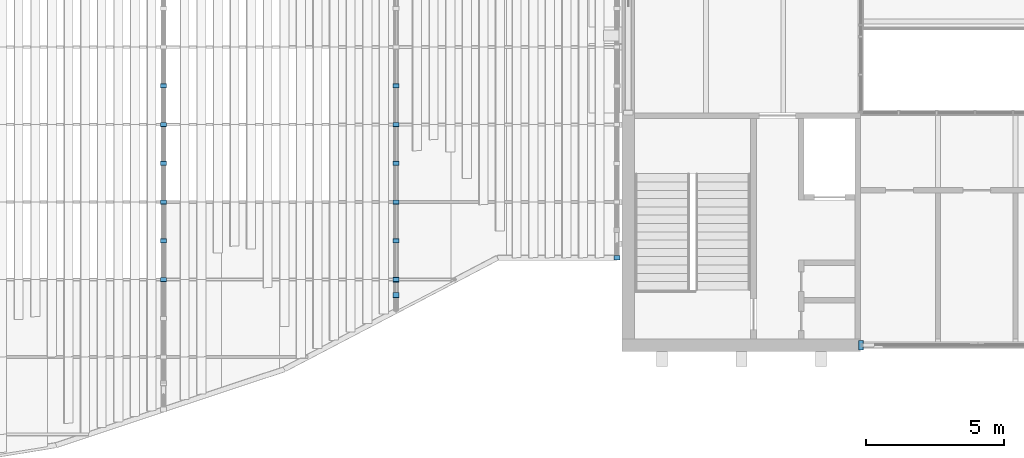
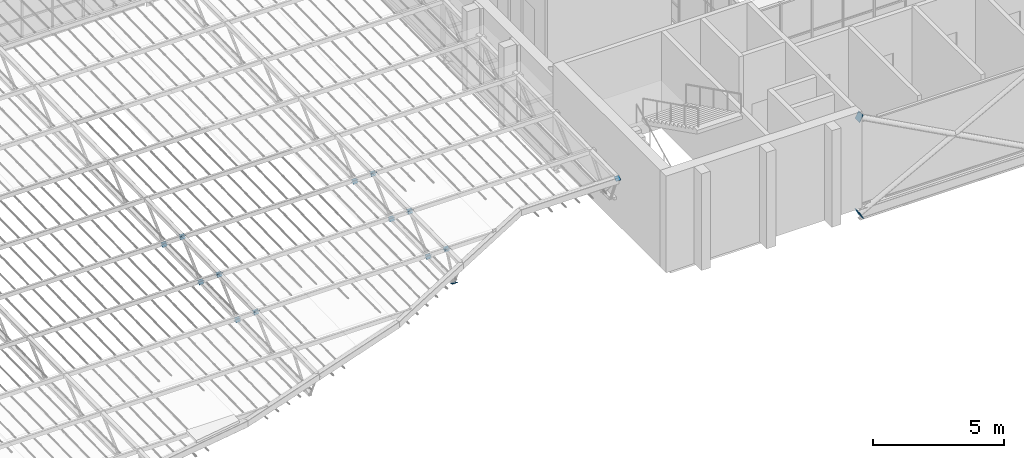
# One storey, part 105 of 129: 28 discrete accessories.
"""IFC4 building model written with IfcOpenShell, lengths in metres."""

from ifc_helpers import new_model, si_unit, direction, frame, origin, origin_2d, place, context, subcontext, project, spatial, rectangle, extrude, material, material_profile, profile_set, type_object, element, save


model = new_model("IFC4")

# Units and contexts
model_context = context("Model", 3, precision=1e-05, world=origin(), true_north=direction((0.0, 1.0)))
body_context = subcontext(model_context, "Body", "Model", "MODEL_VIEW")
ifc_project = project(units=[si_unit("LENGTHUNIT", "METRE"), si_unit("AREAUNIT", "SQUARE_METRE"), si_unit("VOLUMEUNIT", "CUBIC_METRE"), si_unit("PLANEANGLEUNIT", "RADIAN"), si_unit("MASSUNIT", "GRAM", prefix="KILO")], contexts=[model_context])

# Site, building, storey
site_placement = place(None, origin())
site = spatial("IfcSite", under=ifc_project, at=site_placement, CompositionType="ELEMENT")
building_placement = place(site_placement, origin())
building = spatial("IfcBuilding", under=site, at=building_placement, Name="Ardhachandra Cancer Care Centre", CompositionType="ELEMENT")
storey_placement = place(building_placement, frame((0.0, 0.0, 4.5)))
storey = spatial("IfcBuildingStorey", under=building, at=storey_placement, Name="L01", CompositionType="ELEMENT", Elevation=4.5)

# Discrete accessories
ifc_material_1 = material(Name="Steel E250 (IS 2062)", Category="steel")
ifc_material_profile_1 = material_profile(ifc_material_1, rectangle(XDim=0.344482421875, YDim=0.344482421875, at=origin_2d()), Name="PL 344x344x20")
ifc_profile_set_1 = profile_set([ifc_material_profile_1], Name="Steel E250 (IS 2062)")
discrete_accessory_type_1 = type_object("IfcDiscreteAccessoryType", Name="Brace end plate 344 x 344 x 20", PredefinedType="BRACKET", material=ifc_profile_set_1)
for number, where, z_axis, x_axis, name in (
    (1, (120.0, 29.39990234375, -0.39990234375), (0.884384752847, 0.0, 0.466758619558), (0.0, 1.0, 0.0), "Brace end plate V4-X294-1200 L01 A0"),
    (2, (120.0, 29.39990234375, 4.117919921875), (0.884384752847, 0.0, -0.466758619558), (0.0, 1.0, 0.0), "Brace end plate V4-X294-1200 L01 B21"),
):
    element("IfcDiscreteAccessory", number, at=place(storey_placement, frame(where, z_axis=z_axis, x_axis=x_axis)), inside=storey, type_object=discrete_accessory_type_1, Name=name, PredefinedType="BRACKET", context=body_context, shape_type="SweptSolid", body=[
        extrude(rectangle(XDim=0.344482421875, YDim=0.344482421875, at=origin_2d()), origin(), (0.0, 0.0, 1.0), 0.019775390625),
    ])
ifc_material_2 = material(Name="Steel E250 (IS 2062)", Category="steel")
ifc_material_profile_2 = material_profile(ifc_material_2, rectangle(XDim=0.21435546875, YDim=0.21435546875, at=origin_2d()), Name="PL 214x214x12")
ifc_profile_set_2 = profile_set([ifc_material_profile_2], Name="Steel E250 (IS 2062)")
discrete_accessory_type_2 = type_object("IfcDiscreteAccessoryType", Name="Diagonal end plate 214 x 214 x 12", PredefinedType="BRACKET", material=ifc_profile_set_2)
discrete_accessory_1_placement = place(storey_placement, frame((94.800048828125, 38.77490234375, 1.310546875), z_axis=(0.0, 0.746295434469, 0.665614846958), x_axis=(-1.0, 0.0, 0.0)))
element("IfcDiscreteAccessory", 3, at=discrete_accessory_1_placement, inside=storey, type_object=discrete_accessory_type_2, Name="Diagonal end plate Canopy truss 7 web diagonal WD32 2", PredefinedType="BRACKET", context=body_context, shape_type="SweptSolid", body=[
    extrude(rectangle(XDim=0.21435546875, YDim=0.21435546875, at=origin_2d()), origin(), (0.0, 0.0, 1.0), 0.01220703125),
])
for number, where, z_axis, x_axis, name in (
    (4, (94.800048828125, 38.77490234375, 1.310546875), (0.0, -0.756363172452, 0.654151932932), (1.0, 0.0, 0.0), "Diagonal end plate Canopy truss 7 web diagonal WD33 1"),
    (5, (94.800048828125, 37.375, 2.517578125), (0.0, 0.756363172452, -0.654151932932), (-1.0, 0.0, 0.0), "Diagonal end plate Canopy truss 7 web diagonal WD33 2"),
    (6, (94.800048828125, 37.375, 2.517578125), (0.0, -0.737154140201, -0.675724628517), (1.0, 0.0, 0.0), "Diagonal end plate Canopy truss 7 web diagonal WD34 1"),
    (7, (94.800048828125, 35.97509765625, 1.25439453125), (0.0, 0.737154140201, 0.675724628517), (-1.0, 0.0, 0.0), "Diagonal end plate Canopy truss 7 web diagonal WD34 2"),
):
    element("IfcDiscreteAccessory", number, at=place(storey_placement, frame(where, z_axis=z_axis, x_axis=x_axis)), inside=storey, type_object=discrete_accessory_type_2, Name=name, PredefinedType="BRACKET", context=body_context, shape_type="SweptSolid", body=[
        extrude(rectangle(XDim=0.21435546875, YDim=0.21435546875, at=origin_2d()), origin(), (0.0, 0.0, 1.0), 0.011962890625),
    ])
discrete_accessory_2_placement = place(storey_placement, frame((94.800048828125, 35.97509765625, 1.25439453125), z_axis=(0.0, -0.755033118393, 0.655686655446), x_axis=(1.0, 0.0, 0.0)))
element("IfcDiscreteAccessory", 8, at=discrete_accessory_2_placement, inside=storey, type_object=discrete_accessory_type_2, Name="Diagonal end plate Canopy truss 7 web diagonal WD35 1", PredefinedType="BRACKET", context=body_context, shape_type="SweptSolid", body=[
    extrude(rectangle(XDim=0.21435546875, YDim=0.21435546875, at=origin_2d()), origin(), (0.0, 0.0, 1.0), 0.01220703125),
])
for number, where, z_axis, x_axis, name in (
    (9, (94.800048828125, 34.574951171875, 2.46142578125), (0.0, 0.756363172452, -0.654151932932), (-1.0, 0.0, 0.0), "Diagonal end plate Canopy truss 7 web diagonal WD35 2"),
    (10, (94.800048828125, 34.574951171875, 2.46142578125), (0.0, -0.737154140201, -0.675724628517), (1.0, 0.0, 0.0), "Diagonal end plate Canopy truss 7 web diagonal WD36 1"),
    (11, (94.800048828125, 33.175048828125, 1.198486328125), (0.0, 0.737154140201, 0.675724628517), (-1.0, 0.0, 0.0), "Diagonal end plate Canopy truss 7 web diagonal WD36 2"),
    (12, (94.800048828125, 33.175048828125, 1.198486328125), (0.0, -0.756363172452, 0.654151932932), (1.0, 0.0, 0.0), "Diagonal end plate Canopy truss 7 web diagonal WD37 1"),
):
    element("IfcDiscreteAccessory", number, at=place(storey_placement, frame(where, z_axis=z_axis, x_axis=x_axis)), inside=storey, type_object=discrete_accessory_type_2, Name=name, PredefinedType="BRACKET", context=body_context, shape_type="SweptSolid", body=[
        extrude(rectangle(XDim=0.21435546875, YDim=0.21435546875, at=origin_2d()), origin(), (0.0, 0.0, 1.0), 0.011962890625),
    ])
discrete_accessory_3_placement = place(storey_placement, frame((94.800048828125, 31.77490234375, 2.405517578125), z_axis=(0.0, 0.764911198117, -0.644135745783), x_axis=(-1.0, 0.0, 0.0)))
element("IfcDiscreteAccessory", 13, at=discrete_accessory_3_placement, inside=storey, type_object=discrete_accessory_type_2, Name="Diagonal end plate Canopy truss 7 web diagonal WD37 2", PredefinedType="BRACKET", context=body_context, shape_type="SweptSolid", body=[
    extrude(rectangle(XDim=0.21435546875, YDim=0.21435546875, at=origin_2d()), origin(), (0.0, 0.0, 1.0), 0.01220703125),
])
discrete_accessory_4_placement = place(storey_placement, frame((94.800048828125, 31.77490234375, 2.405517578125), z_axis=(0.0, -0.737154140201, -0.675724628517), x_axis=(1.0, 0.0, 0.0)))
element("IfcDiscreteAccessory", 14, at=discrete_accessory_4_placement, inside=storey, type_object=discrete_accessory_type_2, Name="Diagonal end plate Canopy truss 7 web diagonal WD38 1", PredefinedType="BRACKET", context=body_context, shape_type="SweptSolid", body=[
    extrude(rectangle(XDim=0.21435546875, YDim=0.21435546875, at=origin_2d()), origin(), (0.0, 0.0, 1.0), 0.011962890625),
])
discrete_accessory_5_placement = place(storey_placement, frame((103.199951171875, 38.77490234375, 1.310546875), z_axis=(0.0, 0.746295434469, 0.665614846958), x_axis=(-1.0, 0.0, 0.0)))
element("IfcDiscreteAccessory", 15, at=discrete_accessory_5_placement, inside=storey, type_object=discrete_accessory_type_2, Name="Diagonal end plate Canopy truss 8 web diagonal WD29 2", PredefinedType="BRACKET", context=body_context, shape_type="SweptSolid", body=[
    extrude(rectangle(XDim=0.21435546875, YDim=0.21435546875, at=origin_2d()), origin(), (0.0, 0.0, 1.0), 0.01220703125),
])
for number, where, z_axis, x_axis, name in (
    (16, (103.199951171875, 38.77490234375, 1.310546875), (0.0, -0.756363172452, 0.654151932932), (1.0, 0.0, 0.0), "Diagonal end plate Canopy truss 8 web diagonal WD30 1"),
    (17, (103.199951171875, 37.375, 2.517578125), (0.0, 0.756363172452, -0.654151932932), (-1.0, 0.0, 0.0), "Diagonal end plate Canopy truss 8 web diagonal WD30 2"),
    (18, (103.199951171875, 37.375, 2.517578125), (0.0, -0.737154140201, -0.675724628517), (1.0, 0.0, 0.0), "Diagonal end plate Canopy truss 8 web diagonal WD31 1"),
    (19, (103.199951171875, 35.97509765625, 1.25439453125), (0.0, 0.737154140201, 0.675724628517), (-1.0, 0.0, 0.0), "Diagonal end plate Canopy truss 8 web diagonal WD31 2"),
):
    element("IfcDiscreteAccessory", number, at=place(storey_placement, frame(where, z_axis=z_axis, x_axis=x_axis)), inside=storey, type_object=discrete_accessory_type_2, Name=name, PredefinedType="BRACKET", context=body_context, shape_type="SweptSolid", body=[
        extrude(rectangle(XDim=0.21435546875, YDim=0.21435546875, at=origin_2d()), origin(), (0.0, 0.0, 1.0), 0.011962890625),
    ])
discrete_accessory_6_placement = place(storey_placement, frame((103.199951171875, 35.97509765625, 1.25439453125), z_axis=(0.0, -0.755033118393, 0.655686655446), x_axis=(1.0, 0.0, 0.0)))
element("IfcDiscreteAccessory", 20, at=discrete_accessory_6_placement, inside=storey, type_object=discrete_accessory_type_2, Name="Diagonal end plate Canopy truss 8 web diagonal WD32 1", PredefinedType="BRACKET", context=body_context, shape_type="SweptSolid", body=[
    extrude(rectangle(XDim=0.21435546875, YDim=0.21435546875, at=origin_2d()), origin(), (0.0, 0.0, 1.0), 0.01220703125),
])
for number, where, z_axis, x_axis, name in (
    (21, (103.199951171875, 34.574951171875, 2.46142578125), (0.0, 0.756363172452, -0.654151932932), (-1.0, 0.0, 0.0), "Diagonal end plate Canopy truss 8 web diagonal WD32 2"),
    (22, (103.199951171875, 34.574951171875, 2.46142578125), (0.0, -0.737154140201, -0.675724628517), (1.0, 0.0, 0.0), "Diagonal end plate Canopy truss 8 web diagonal WD33 1"),
    (23, (103.199951171875, 33.175048828125, 1.198486328125), (0.0, 0.737154140201, 0.675724628517), (-1.0, 0.0, 0.0), "Diagonal end plate Canopy truss 8 web diagonal WD33 2"),
    (24, (103.199951171875, 33.175048828125, 1.198486328125), (0.0, -0.756363172452, 0.654151932932), (1.0, 0.0, 0.0), "Diagonal end plate Canopy truss 8 web diagonal WD34 1"),
):
    element("IfcDiscreteAccessory", number, at=place(storey_placement, frame(where, z_axis=z_axis, x_axis=x_axis)), inside=storey, type_object=discrete_accessory_type_2, Name=name, PredefinedType="BRACKET", context=body_context, shape_type="SweptSolid", body=[
        extrude(rectangle(XDim=0.21435546875, YDim=0.21435546875, at=origin_2d()), origin(), (0.0, 0.0, 1.0), 0.011962890625),
    ])
discrete_accessory_7_placement = place(storey_placement, frame((103.199951171875, 31.77490234375, 2.405517578125), z_axis=(0.0, 0.764911198117, -0.644135745783), x_axis=(-1.0, 0.0, 0.0)))
element("IfcDiscreteAccessory", 25, at=discrete_accessory_7_placement, inside=storey, type_object=discrete_accessory_type_2, Name="Diagonal end plate Canopy truss 8 web diagonal WD34 2", PredefinedType="BRACKET", context=body_context, shape_type="SweptSolid", body=[
    extrude(rectangle(XDim=0.21435546875, YDim=0.21435546875, at=origin_2d()), origin(), (0.0, 0.0, 1.0), 0.01220703125),
])
for number, where, z_axis, x_axis, name in (
    (26, (103.199951171875, 31.77490234375, 2.405517578125), (0.0, -0.406138466053, -0.91381154862), (1.0, 0.0, 0.0), "Diagonal end plate Canopy truss 8 web diagonal WD35 1"),
    (27, (103.199951171875, 31.208984375, 1.1591796875), (0.0, 0.406138466053, 0.91381154862), (-1.0, 0.0, 0.0), "Diagonal end plate Canopy truss 8 web diagonal WD35 2"),
):
    element("IfcDiscreteAccessory", number, at=place(storey_placement, frame(where, z_axis=z_axis, x_axis=x_axis)), inside=storey, type_object=discrete_accessory_type_2, Name=name, PredefinedType="BRACKET", context=body_context, shape_type="SweptSolid", body=[
        extrude(rectangle(XDim=0.21435546875, YDim=0.21435546875, at=origin_2d()), origin(), (0.0, 0.0, 1.0), 0.011962890625),
    ])
discrete_accessory_8_placement = place(storey_placement, frame((111.18505859375, 32.557373046875, 2.421142578125), z_axis=(0.0, 0.644135745783, -0.764911198117), x_axis=(-1.0, 0.0, 0.0)))
element("IfcDiscreteAccessory", 28, at=discrete_accessory_8_placement, inside=storey, type_object=discrete_accessory_type_2, Name="Diagonal end plate Canopy truss 9 web diagonal WD33 2", PredefinedType="BRACKET", context=body_context, shape_type="SweptSolid", body=[
    extrude(rectangle(XDim=0.21435546875, YDim=0.21435546875, at=origin_2d()), origin(), (0.0, 0.0, 1.0), 0.01220703125),
])

save(model, "model.ifc")
